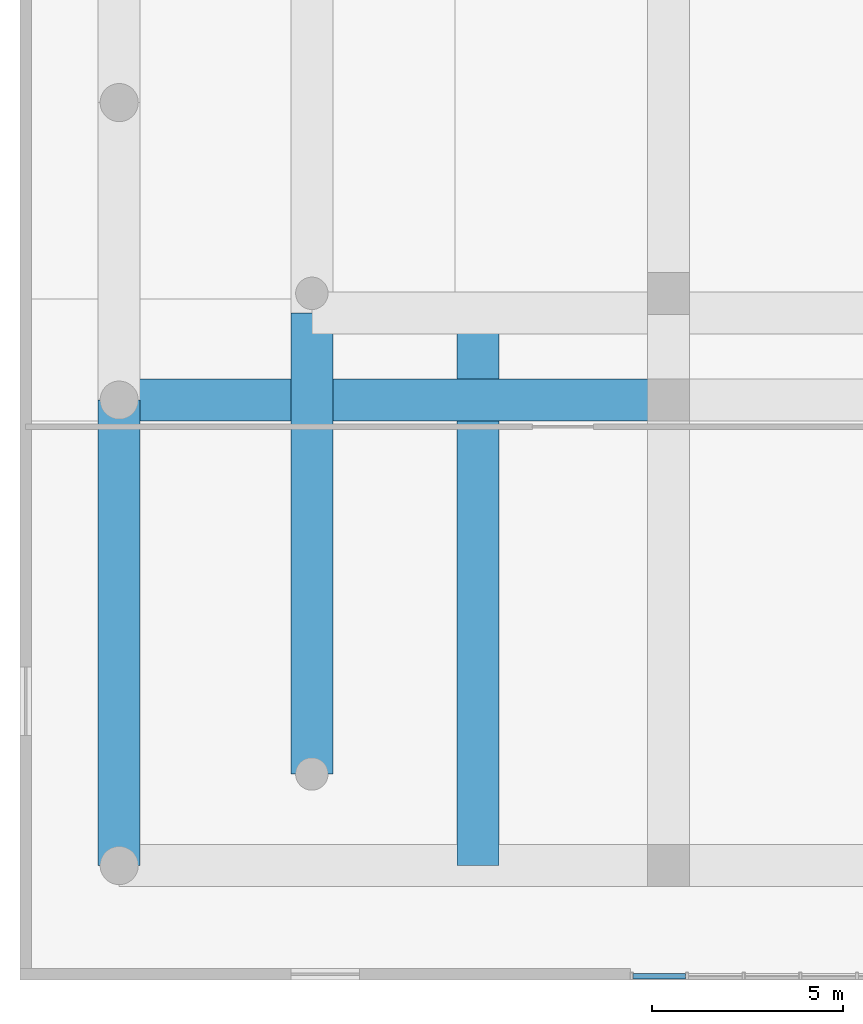
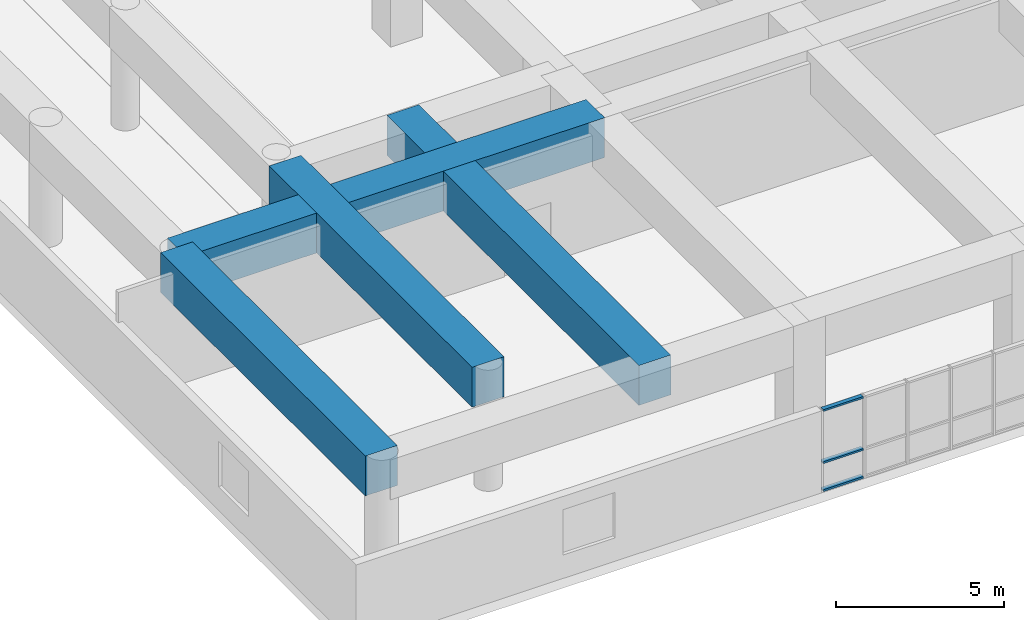
# One storey, part 3 of 28: 4 beams, 3 members, 1 element without a shape of its own.
"""IFC4 building model written with IfcOpenShell, lengths in metres."""

from ifc_helpers import new_model, si_unit, direction, frame, origin, origin_2d, place, context, subcontext, project, spatial, rectangle, hollow_rectangle, extrude, source, transform, mapped, material, layer, layer_set, material_profile, profile_set, type_object, element, aggregate, save


model = new_model("IFC4")

# Units and contexts
model_context = context("Model", 3, precision=1e-05, world=origin(), true_north=direction((0.0, 1.0)))
body_context = subcontext(model_context, "Body", "Model", "MODEL_VIEW")
ifc_project = project(units=[si_unit("LENGTHUNIT", "METRE"), si_unit("AREAUNIT", "SQUARE_METRE"), si_unit("VOLUMEUNIT", "CUBIC_METRE"), si_unit("PLANEANGLEUNIT", "RADIAN"), si_unit("MASSUNIT", "GRAM", prefix="KILO")], contexts=[model_context])

# Site, building, storey
site_placement = place(None, origin())
site = spatial("IfcSite", under=ifc_project, at=site_placement, CompositionType="ELEMENT")
building_placement = place(site_placement, origin())
building = spatial("IfcBuilding", under=site, at=building_placement, Name="Saelheon Loggia Tower", CompositionType="ELEMENT")
storey_placement = place(building_placement, frame((0.0, 0.0, 15.0)))
storey = spatial("IfcBuildingStorey", under=building, at=storey_placement, Name="L04", CompositionType="ELEMENT", Elevation=15.0)

# Beams
ifc_material_1 = material(Name="Concrete C50/60", Category="concrete")
ifc_material_profile_1 = material_profile(ifc_material_1, rectangle(XDim=1.10009765625, YDim=1.449951171875, at=origin_2d()), Name="RC-1100x1450")
ifc_profile_set_1 = profile_set([ifc_material_profile_1], Name="Concrete C50/60")
beam_type_1 = type_object("IfcBeamType", Name="Beam_Transfer_RC1100x1450", PredefinedType="BEAM", material=ifc_profile_set_1)
shared_shape_1 = source(origin(), body_context, "Body", "SweptSolid", [
    extrude(rectangle(XDim=1.10009765625, YDim=1.449951171875, at=origin_2d()), origin(), (0.0, 0.0, 1.0), 14.39990234375),
])
beam_1_placement = place(storey_placement, frame((2.60009765625, 15.199951171875, 3.675048828125), z_axis=(1.0, 0.0, 0.0), x_axis=(0.0, 1.0, 0.0)))
element("IfcBeam", 1, at=beam_1_placement, inside=storey, type_object=beam_type_1, Name="BM-L04-EW-15-1", PredefinedType="BEAM", context=body_context, shape_type="MappedRepresentation", body=[
    mapped(shared_shape_1, transform((0.0, 0.0, 0.0), scale=1.0)),
])
ifc_material_profile_2 = material_profile(ifc_material_1, rectangle(XDim=1.10009765625, YDim=1.449951171875, at=origin_2d()), Name="RC-1100x1450")
ifc_profile_set_2 = profile_set([ifc_material_profile_2], Name="Concrete C50/60")
beam_type_2 = type_object("IfcBeamType", Name="Beam_PerimTransfer_RC1100x1450", PredefinedType="BEAM", material=ifc_profile_set_2)
shared_shape_2 = source(origin(), body_context, "Body", "SweptSolid", [
    extrude(rectangle(XDim=1.10009765625, YDim=1.449951171875, at=origin_2d()), origin(), (0.0, 0.0, 1.0), 12.199951171875),
])
beam_2_placement = place(storey_placement, frame((2.60009765625, 3.0, 3.675048828125), z_axis=(0.0, 1.0, 0.0), x_axis=(-1.0, 0.0, 0.0)))
element("IfcBeam", 2, at=beam_2_placement, inside=storey, type_object=beam_type_2, Name="BM-L04-NS-2-1", PredefinedType="BEAM", context=body_context, shape_type="MappedRepresentation", body=[
    mapped(shared_shape_2, transform((0.0, 0.0, 0.0), scale=1.0)),
])
shared_shape_3 = source(origin(), body_context, "Body", "SweptSolid", [
    extrude(rectangle(XDim=1.10009765625, YDim=1.449951171875, at=origin_2d()), origin(), (0.0, 0.0, 1.0), 12.080078125),
])
beam_3_placement = place(storey_placement, frame((7.64990234375, 5.39990234375, 3.675048828125), z_axis=(0.0, 1.0, 0.0), x_axis=(-1.0, 0.0, 0.0)))
element("IfcBeam", 3, at=beam_3_placement, inside=storey, type_object=beam_type_1, Name="BM-L04-NS-7-1", PredefinedType="BEAM", context=body_context, shape_type="MappedRepresentation", body=[
    mapped(shared_shape_3, transform((0.0, 0.0, 0.0), scale=1.0)),
])
shared_shape_4 = source(origin(), body_context, "Body", "SweptSolid", [
    extrude(rectangle(XDim=1.10009765625, YDim=1.449951171875, at=origin_2d()), origin(), (0.0, 0.0, 1.0), 15.0),
])
beam_4_placement = place(storey_placement, frame((12.0, 3.0, 3.675048828125), z_axis=(0.0, 1.0, 0.0), x_axis=(-1.0, 0.0, 0.0)))
element("IfcBeam", 4, at=beam_4_placement, inside=storey, type_object=beam_type_1, Name="TG-L04-TW-S", PredefinedType="BEAM", context=body_context, shape_type="MappedRepresentation", body=[
    mapped(shared_shape_4, transform((0.0, 0.0, 0.0), scale=1.0)),
])

# Curtain wall, members
ifc_material_2 = material(Name="Aluminium 6063-T6 and Low-E IGU", Category="aluminium")
ifc_layer = layer(ifc_material_2, 0.179931640625)
ifc_layer_set = layer_set([ifc_layer], Name="Aluminium 6063-T6 and Low-E IGU")
curtain_wall_type = type_object("IfcCurtainWallType", Name="CW_PodiumClinic", PredefinedType="NOTDEFINED", material=ifc_layer_set)
curtain_wall_placement = place(storey_placement, origin())
curtain_wall = element("IfcCurtainWall", 5, at=curtain_wall_placement, inside=storey, type_object=curtain_wall_type, Name="L04 South Clinic Curtain Wall 1", PredefinedType="NOTDEFINED")
ifc_material_3 = material(Name="Anodised Aluminium 6063-T6", Category="aluminium")
ifc_material_profile_3 = material_profile(ifc_material_3, hollow_rectangle(XDim=0.070068359375, YDim=0.14990234375, WallThickness=0.0048828125, at=origin_2d()), Name="RHS-150x70x5")
ifc_profile_set_3 = profile_set([ifc_material_profile_3], Name="Anodised Aluminium 6063-T6")
member_type = type_object("IfcMemberType", Name="CW_PodiumClinic_Transom", PredefinedType="USERDEFINED", material=ifc_profile_set_3)
shared_shape_5 = source(origin(), body_context, "Body", "SweptSolid", [
    extrude(hollow_rectangle(XDim=0.070068359375, YDim=0.14990234375, WallThickness=0.0048828125, at=origin_2d()), origin(), (0.0, 0.0, 1.0), 1.3798828125),
])
member_1_placement = place(storey_placement, frame((16.070068359375, 0.10009765625, 0.034912109375), z_axis=(1.0, 0.0, 0.0), x_axis=(0.0, 0.0, 1.0)))
member_1 = element("IfcMember", 6, at=member_1_placement, type_object=member_type, Name="CW1 transom 1.1", ObjectType="TRANSOM", PredefinedType="USERDEFINED", context=body_context, shape_type="MappedRepresentation", body=[
    mapped(shared_shape_5, transform((0.0, 0.0, 0.0), scale=1.0)),
])
member_2_placement = place(storey_placement, frame((16.070068359375, 0.10009765625, 1.050048828125), z_axis=(1.0, 0.0, 0.0), x_axis=(0.0, 0.0, 1.0)))
member_2 = element("IfcMember", 7, at=member_2_placement, type_object=member_type, Name="CW1 transom 1.2", ObjectType="TRANSOM", PredefinedType="USERDEFINED", context=body_context, shape_type="MappedRepresentation", body=[
    mapped(shared_shape_5, transform((0.0, 0.0, 0.0), scale=1.0)),
])
member_3_placement = place(storey_placement, frame((16.070068359375, 0.10009765625, 2.945068359375), z_axis=(1.0, 0.0, 0.0), x_axis=(0.0, 0.0, 1.0)))
member_3 = element("IfcMember", 8, at=member_3_placement, type_object=member_type, Name="CW1 transom 1.3", ObjectType="TRANSOM", PredefinedType="USERDEFINED", context=body_context, shape_type="MappedRepresentation", body=[
    mapped(shared_shape_5, transform((0.0, 0.0, 0.0), scale=1.0)),
])
aggregate(curtain_wall, [member_1, member_2, member_3])

save(model, "model.ifc")
